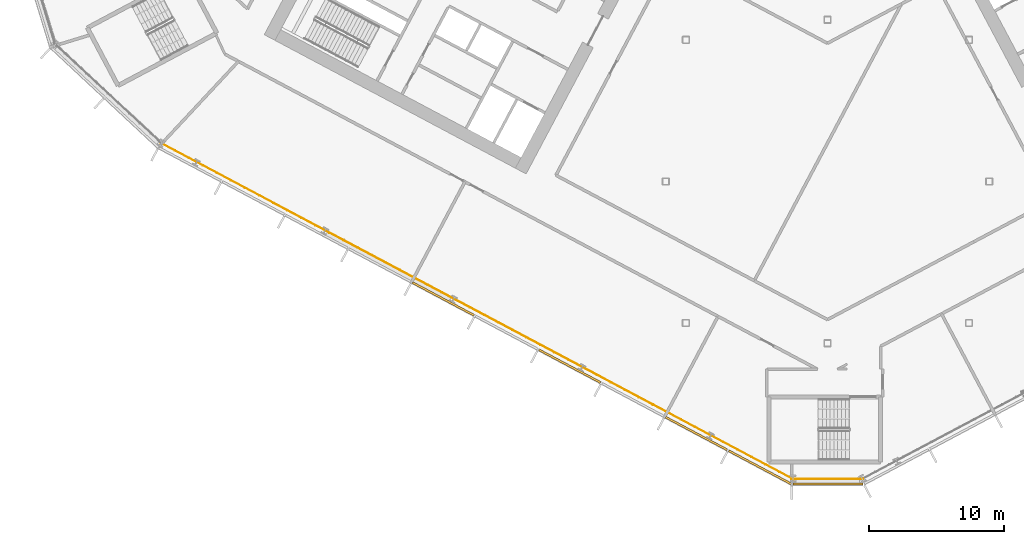
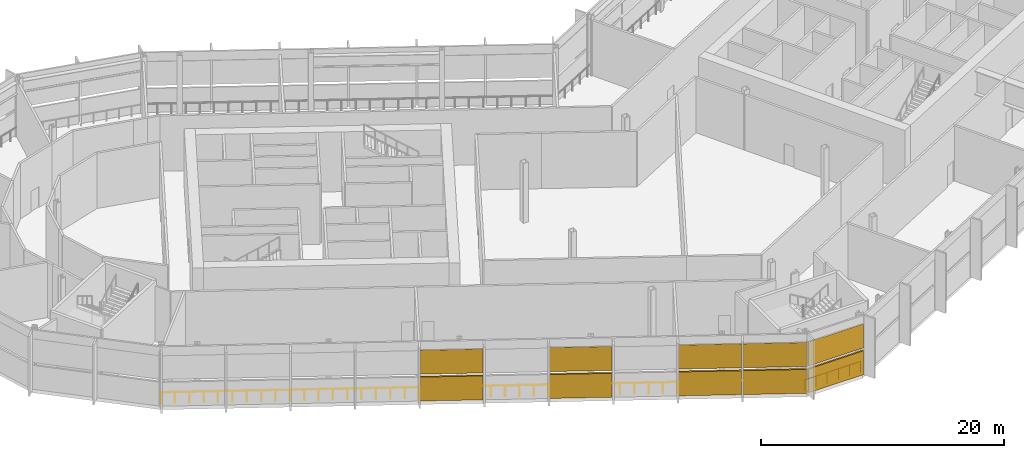
# One storey, part 20 of 33: 10 shading devices, 2 railings, 2 elements without a shape of their own.
"""IFC4 building model written with IfcOpenShell, lengths in metres."""

from ifc_helpers import new_model, si_unit, direction, frame, origin, origin_2d, place, context, subcontext, project, spatial, polyline, rectangle, outline, extrude, material, layer, layer_set, type_object, element, aggregate, save


model = new_model("IFC4")

# Units and contexts
model_context = context("Model", 3, precision=1e-05, world=origin(), true_north=direction((0.0, 1.0)))
body_context = subcontext(model_context, "Body", "Model", "MODEL_VIEW")
ifc_project = project(units=[si_unit("LENGTHUNIT", "METRE"), si_unit("AREAUNIT", "SQUARE_METRE"), si_unit("VOLUMEUNIT", "CUBIC_METRE"), si_unit("PLANEANGLEUNIT", "RADIAN"), si_unit("MASSUNIT", "GRAM", prefix="KILO")], contexts=[model_context])

# Site, building, storey
site_placement = place(None, origin())
site = spatial("IfcSite", under=ifc_project, at=site_placement, CompositionType="ELEMENT")
building_placement = place(site_placement, origin())
building = spatial("IfcBuilding", under=site, at=building_placement, Name="Cormorant Relay Tower", CompositionType="ELEMENT")
storey_placement = place(building_placement, frame((0.0, 0.0, 112.199951171875)))
storey = spatial("IfcBuildingStorey", under=building, at=storey_placement, Name="L22", CompositionType="ELEMENT", Elevation=112.199951171875)

# Railings
ifc_material_1 = material(Name="Stainless steel 316 guard", Category="steel")
railing_type = type_object("IfcRailingType", Name="Band louvre guard 1100", PredefinedType="GUARDRAIL", material=ifc_material_1)
railing_1_placement = place(storey_placement, frame((-2.648681640625, -22.07568359375, 0.0)))
element("IfcRailing", 1, at=railing_1_placement, inside=storey, type_object=railing_type, Name="CW4 guard 1", PredefinedType="GUARDRAIL", context=body_context, shape_type="SweptSolid", body=[
    extrude(outline(polyline([(0.022216796875, 0.00927734375), (0.00927734375, 0.022216796875), (-0.00927734375, 0.022216796875), (-0.022216796875, 0.00927734375), (-0.022216796875, -0.00927734375), (-0.00927734375, -0.022216796875), (0.00927734375, -0.022216796875), (0.022216796875, -0.00927734375), (0.022216796875, 0.00927734375)])), frame((0.0, 0.0, 1.076171875), z_axis=(1.0, 0.0, 0.0), x_axis=(0.0, 1.0, 0.0)), (0.0, 0.0, 1.0), 5.29736328125),
    extrude(outline(polyline([(0.019287109375, 0.008056640625), (0.008056640625, 0.019287109375), (-0.008056640625, 0.019287109375), (-0.019287109375, 0.008056640625), (-0.019287109375, -0.008056640625), (-0.008056640625, -0.019287109375), (0.008056640625, -0.019287109375), (0.019287109375, -0.008056640625), (0.019287109375, 0.008056640625)])), origin(), (0.0, 0.0, 1.0), 1.052001953125),
    extrude(outline(polyline([(0.019287109375, 0.008056640625), (0.008056640625, 0.019287109375), (-0.008056640625, 0.019287109375), (-0.019287109375, 0.008056640625), (-0.019287109375, -0.008056640625), (-0.008056640625, -0.019287109375), (0.008056640625, -0.019287109375), (0.019287109375, -0.008056640625), (0.019287109375, 0.008056640625)])), frame((1.0595703125, 0.0, 0.0)), (0.0, 0.0, 1.0), 1.052001953125),
    extrude(outline(polyline([(0.019287109375, 0.008056640625), (0.008056640625, 0.019287109375), (-0.008056640625, 0.019287109375), (-0.019287109375, 0.008056640625), (-0.019287109375, -0.008056640625), (-0.008056640625, -0.019287109375), (0.008056640625, -0.019287109375), (0.019287109375, -0.008056640625), (0.019287109375, 0.008056640625)])), frame((2.118896484375, 0.0, 0.0)), (0.0, 0.0, 1.0), 1.052001953125),
    extrude(outline(polyline([(0.019287109375, 0.008056640625), (0.008056640625, 0.019287109375), (-0.008056640625, 0.019287109375), (-0.019287109375, 0.008056640625), (-0.019287109375, -0.008056640625), (-0.008056640625, -0.019287109375), (0.008056640625, -0.019287109375), (0.019287109375, -0.008056640625), (0.019287109375, 0.008056640625)])), frame((3.178466796875, 0.0, 0.0)), (0.0, 0.0, 1.0), 1.052001953125),
    extrude(outline(polyline([(0.019287109375, 0.008056640625), (0.008056640625, 0.019287109375), (-0.008056640625, 0.019287109375), (-0.019287109375, 0.008056640625), (-0.019287109375, -0.008056640625), (-0.008056640625, -0.019287109375), (0.008056640625, -0.019287109375), (0.019287109375, -0.008056640625), (0.019287109375, 0.008056640625)])), frame((4.23779296875, 0.0, 0.0)), (0.0, 0.0, 1.0), 1.052001953125),
    extrude(outline(polyline([(0.019287109375, 0.008056640625), (0.008056640625, 0.019287109375), (-0.008056640625, 0.019287109375), (-0.019287109375, 0.008056640625), (-0.019287109375, -0.008056640625), (-0.008056640625, -0.019287109375), (0.008056640625, -0.019287109375), (0.019287109375, -0.008056640625), (0.019287109375, 0.008056640625)])), frame((5.29736328125, 0.0, 0.0)), (0.0, 0.0, 1.0), 1.052001953125),
])
railing_2_placement = place(storey_placement, frame((-49.45068359375, 2.84912109375, 0.0)))
element("IfcRailing", 2, at=railing_2_placement, inside=storey, type_object=railing_type, Name="CW4 guard 14", PredefinedType="GUARDRAIL", context=body_context, shape_type="SweptSolid", body=[
    extrude(outline(polyline([(0.022216796875, 0.00927734375), (0.00927734375, 0.022216796875), (-0.00927734375, 0.022216796875), (-0.022216796875, 0.00927734375), (-0.022216796875, -0.00927734375), (-0.00927734375, -0.022216796875), (0.00927734375, -0.022216796875), (0.022216796875, -0.00927734375), (0.022216796875, 0.00927734375)])), frame((0.0, 0.0, 1.076171875), z_axis=(0.88294853393, -0.469469792884, 0.0), x_axis=(0.469469792884, 0.88294853393, 0.0)), (0.0, 0.0, 1.0), 53.165771484375),
    extrude(outline(polyline([(0.019287109375, 0.008056640625), (0.008056640625, 0.019287109375), (-0.008056640625, 0.019287109375), (-0.019287109375, 0.008056640625), (-0.019287109375, -0.008056640625), (-0.008056640625, -0.019287109375), (0.008056640625, -0.019287109375), (0.019287109375, -0.008056640625), (0.019287109375, 0.008056640625)])), origin(), (0.0, 0.0, 1.0), 1.052001953125),
    extrude(outline(polyline([(0.019287109375, 0.008056640625), (0.008056640625, 0.019287109375), (-0.008056640625, 0.019287109375), (-0.019287109375, 0.008056640625), (-0.019287109375, -0.008056640625), (-0.008056640625, -0.019287109375), (0.008056640625, -0.019287109375), (0.019287109375, -0.008056640625), (0.019287109375, 0.008056640625)])), frame((1.043212890625, -0.5546875, 0.0)), (0.0, 0.0, 1.0), 1.052001953125),
    extrude(outline(polyline([(0.019287109375, 0.008056640625), (0.008056640625, 0.019287109375), (-0.008056640625, 0.019287109375), (-0.019287109375, 0.008056640625), (-0.019287109375, -0.008056640625), (-0.008056640625, -0.019287109375), (0.008056640625, -0.019287109375), (0.019287109375, -0.008056640625), (0.019287109375, 0.008056640625)])), frame((2.08642578125, -1.109375, 0.0)), (0.0, 0.0, 1.0), 1.052001953125),
    extrude(outline(polyline([(0.019287109375, 0.008056640625), (0.008056640625, 0.019287109375), (-0.008056640625, 0.019287109375), (-0.019287109375, 0.008056640625), (-0.019287109375, -0.008056640625), (-0.008056640625, -0.019287109375), (0.008056640625, -0.019287109375), (0.019287109375, -0.008056640625), (0.019287109375, 0.008056640625)])), frame((3.12939453125, -1.6640625, 0.0)), (0.0, 0.0, 1.0), 1.052001953125),
    extrude(outline(polyline([(0.019287109375, 0.008056640625), (0.008056640625, 0.019287109375), (-0.008056640625, 0.019287109375), (-0.019287109375, 0.008056640625), (-0.019287109375, -0.008056640625), (-0.008056640625, -0.019287109375), (0.008056640625, -0.019287109375), (0.019287109375, -0.008056640625), (0.019287109375, 0.008056640625)])), frame((4.172607421875, -2.21875, 0.0)), (0.0, 0.0, 1.0), 1.052001953125),
    extrude(outline(polyline([(0.019287109375, 0.008056640625), (0.008056640625, 0.019287109375), (-0.008056640625, 0.019287109375), (-0.019287109375, 0.008056640625), (-0.019287109375, -0.008056640625), (-0.008056640625, -0.019287109375), (0.008056640625, -0.019287109375), (0.019287109375, -0.008056640625), (0.019287109375, 0.008056640625)])), frame((5.2158203125, -2.773193359375, 0.0)), (0.0, 0.0, 1.0), 1.052001953125),
    extrude(outline(polyline([(0.019287109375, 0.008056640625), (0.008056640625, 0.019287109375), (-0.008056640625, 0.019287109375), (-0.019287109375, 0.008056640625), (-0.019287109375, -0.008056640625), (-0.008056640625, -0.019287109375), (0.008056640625, -0.019287109375), (0.019287109375, -0.008056640625), (0.019287109375, 0.008056640625)])), frame((6.259033203125, -3.327880859375, 0.0)), (0.0, 0.0, 1.0), 1.052001953125),
    extrude(outline(polyline([(0.019287109375, 0.008056640625), (0.008056640625, 0.019287109375), (-0.008056640625, 0.019287109375), (-0.019287109375, 0.008056640625), (-0.019287109375, -0.008056640625), (-0.008056640625, -0.019287109375), (0.008056640625, -0.019287109375), (0.019287109375, -0.008056640625), (0.019287109375, 0.008056640625)])), frame((7.30224609375, -3.882568359375, 0.0)), (0.0, 0.0, 1.0), 1.052001953125),
    extrude(outline(polyline([(0.019287109375, 0.008056640625), (0.008056640625, 0.019287109375), (-0.008056640625, 0.019287109375), (-0.019287109375, 0.008056640625), (-0.019287109375, -0.008056640625), (-0.008056640625, -0.019287109375), (0.008056640625, -0.019287109375), (0.019287109375, -0.008056640625), (0.019287109375, 0.008056640625)])), frame((8.345458984375, -4.437255859375, 0.0)), (0.0, 0.0, 1.0), 1.052001953125),
    extrude(outline(polyline([(0.019287109375, 0.008056640625), (0.008056640625, 0.019287109375), (-0.008056640625, 0.019287109375), (-0.019287109375, 0.008056640625), (-0.019287109375, -0.008056640625), (-0.008056640625, -0.019287109375), (0.008056640625, -0.019287109375), (0.019287109375, -0.008056640625), (0.019287109375, 0.008056640625)])), frame((9.388427734375, -4.991943359375, 0.0)), (0.0, 0.0, 1.0), 1.052001953125),
    extrude(outline(polyline([(0.019287109375, 0.008056640625), (0.008056640625, 0.019287109375), (-0.008056640625, 0.019287109375), (-0.019287109375, 0.008056640625), (-0.019287109375, -0.008056640625), (-0.008056640625, -0.019287109375), (0.008056640625, -0.019287109375), (0.019287109375, -0.008056640625), (0.019287109375, 0.008056640625)])), frame((10.431640625, -5.546630859375, 0.0)), (0.0, 0.0, 1.0), 1.052001953125),
    extrude(outline(polyline([(0.019287109375, 0.008056640625), (0.008056640625, 0.019287109375), (-0.008056640625, 0.019287109375), (-0.019287109375, 0.008056640625), (-0.019287109375, -0.008056640625), (-0.008056640625, -0.019287109375), (0.008056640625, -0.019287109375), (0.019287109375, -0.008056640625), (0.019287109375, 0.008056640625)])), frame((11.474853515625, -6.101318359375, 0.0)), (0.0, 0.0, 1.0), 1.052001953125),
    extrude(outline(polyline([(0.019287109375, 0.008056640625), (0.008056640625, 0.019287109375), (-0.008056640625, 0.019287109375), (-0.019287109375, 0.008056640625), (-0.019287109375, -0.008056640625), (-0.008056640625, -0.019287109375), (0.008056640625, -0.019287109375), (0.019287109375, -0.008056640625), (0.019287109375, 0.008056640625)])), frame((12.51806640625, -6.656005859375, 0.0)), (0.0, 0.0, 1.0), 1.052001953125),
    extrude(outline(polyline([(0.019287109375, 0.008056640625), (0.008056640625, 0.019287109375), (-0.008056640625, 0.019287109375), (-0.019287109375, 0.008056640625), (-0.019287109375, -0.008056640625), (-0.008056640625, -0.019287109375), (0.008056640625, -0.019287109375), (0.019287109375, -0.008056640625), (0.019287109375, 0.008056640625)])), frame((13.561279296875, -7.210693359375, 0.0)), (0.0, 0.0, 1.0), 1.052001953125),
    extrude(outline(polyline([(0.019287109375, 0.008056640625), (0.008056640625, 0.019287109375), (-0.008056640625, 0.019287109375), (-0.019287109375, 0.008056640625), (-0.019287109375, -0.008056640625), (-0.008056640625, -0.019287109375), (0.008056640625, -0.019287109375), (0.019287109375, -0.008056640625), (0.019287109375, 0.008056640625)])), frame((14.6044921875, -7.76513671875, 0.0)), (0.0, 0.0, 1.0), 1.052001953125),
    extrude(outline(polyline([(0.019287109375, 0.008056640625), (0.008056640625, 0.019287109375), (-0.008056640625, 0.019287109375), (-0.019287109375, 0.008056640625), (-0.019287109375, -0.008056640625), (-0.008056640625, -0.019287109375), (0.008056640625, -0.019287109375), (0.019287109375, -0.008056640625), (0.019287109375, 0.008056640625)])), frame((15.6474609375, -8.31982421875, 0.0)), (0.0, 0.0, 1.0), 1.052001953125),
    extrude(outline(polyline([(0.019287109375, 0.008056640625), (0.008056640625, 0.019287109375), (-0.008056640625, 0.019287109375), (-0.019287109375, 0.008056640625), (-0.019287109375, -0.008056640625), (-0.008056640625, -0.019287109375), (0.008056640625, -0.019287109375), (0.019287109375, -0.008056640625), (0.019287109375, 0.008056640625)])), frame((16.690673828125, -8.87451171875, 0.0)), (0.0, 0.0, 1.0), 1.052001953125),
    extrude(outline(polyline([(0.019287109375, 0.008056640625), (0.008056640625, 0.019287109375), (-0.008056640625, 0.019287109375), (-0.019287109375, 0.008056640625), (-0.019287109375, -0.008056640625), (-0.008056640625, -0.019287109375), (0.008056640625, -0.019287109375), (0.019287109375, -0.008056640625), (0.019287109375, 0.008056640625)])), frame((17.73388671875, -9.42919921875, 0.0)), (0.0, 0.0, 1.0), 1.052001953125),
    extrude(outline(polyline([(0.019287109375, 0.008056640625), (0.008056640625, 0.019287109375), (-0.008056640625, 0.019287109375), (-0.019287109375, 0.008056640625), (-0.019287109375, -0.008056640625), (-0.008056640625, -0.019287109375), (0.008056640625, -0.019287109375), (0.019287109375, -0.008056640625), (0.019287109375, 0.008056640625)])), frame((18.777099609375, -9.98388671875, 0.0)), (0.0, 0.0, 1.0), 1.052001953125),
    extrude(outline(polyline([(0.019287109375, 0.008056640625), (0.008056640625, 0.019287109375), (-0.008056640625, 0.019287109375), (-0.019287109375, 0.008056640625), (-0.019287109375, -0.008056640625), (-0.008056640625, -0.019287109375), (0.008056640625, -0.019287109375), (0.019287109375, -0.008056640625), (0.019287109375, 0.008056640625)])), frame((19.8203125, -10.53857421875, 0.0)), (0.0, 0.0, 1.0), 1.052001953125),
    extrude(outline(polyline([(0.019287109375, 0.008056640625), (0.008056640625, 0.019287109375), (-0.008056640625, 0.019287109375), (-0.019287109375, 0.008056640625), (-0.019287109375, -0.008056640625), (-0.008056640625, -0.019287109375), (0.008056640625, -0.019287109375), (0.019287109375, -0.008056640625), (0.019287109375, 0.008056640625)])), frame((20.86328125, -11.09326171875, 0.0)), (0.0, 0.0, 1.0), 1.052001953125),
    extrude(outline(polyline([(0.019287109375, 0.008056640625), (0.008056640625, 0.019287109375), (-0.008056640625, 0.019287109375), (-0.019287109375, 0.008056640625), (-0.019287109375, -0.008056640625), (-0.008056640625, -0.019287109375), (0.008056640625, -0.019287109375), (0.019287109375, -0.008056640625), (0.019287109375, 0.008056640625)])), frame((21.906494140625, -11.64794921875, 0.0)), (0.0, 0.0, 1.0), 1.052001953125),
    extrude(outline(polyline([(0.019287109375, 0.008056640625), (0.008056640625, 0.019287109375), (-0.008056640625, 0.019287109375), (-0.019287109375, 0.008056640625), (-0.019287109375, -0.008056640625), (-0.008056640625, -0.019287109375), (0.008056640625, -0.019287109375), (0.019287109375, -0.008056640625), (0.019287109375, 0.008056640625)])), frame((22.94970703125, -12.20263671875, 0.0)), (0.0, 0.0, 1.0), 1.052001953125),
    extrude(outline(polyline([(0.019287109375, 0.008056640625), (0.008056640625, 0.019287109375), (-0.008056640625, 0.019287109375), (-0.019287109375, 0.008056640625), (-0.019287109375, -0.008056640625), (-0.008056640625, -0.019287109375), (0.008056640625, -0.019287109375), (0.019287109375, -0.008056640625), (0.019287109375, 0.008056640625)])), frame((23.992919921875, -12.757080078125, 0.0)), (0.0, 0.0, 1.0), 1.052001953125),
    extrude(outline(polyline([(0.019287109375, 0.008056640625), (0.008056640625, 0.019287109375), (-0.008056640625, 0.019287109375), (-0.019287109375, 0.008056640625), (-0.019287109375, -0.008056640625), (-0.008056640625, -0.019287109375), (0.008056640625, -0.019287109375), (0.019287109375, -0.008056640625), (0.019287109375, 0.008056640625)])), frame((25.0361328125, -13.311767578125, 0.0)), (0.0, 0.0, 1.0), 1.052001953125),
    extrude(outline(polyline([(0.019287109375, 0.008056640625), (0.008056640625, 0.019287109375), (-0.008056640625, 0.019287109375), (-0.019287109375, 0.008056640625), (-0.019287109375, -0.008056640625), (-0.008056640625, -0.019287109375), (0.008056640625, -0.019287109375), (0.019287109375, -0.008056640625), (0.019287109375, 0.008056640625)])), frame((26.079345703125, -13.866455078125, 0.0)), (0.0, 0.0, 1.0), 1.052001953125),
    extrude(outline(polyline([(0.019287109375, 0.008056640625), (0.008056640625, 0.019287109375), (-0.008056640625, 0.019287109375), (-0.019287109375, 0.008056640625), (-0.019287109375, -0.008056640625), (-0.008056640625, -0.019287109375), (0.008056640625, -0.019287109375), (0.019287109375, -0.008056640625), (0.019287109375, 0.008056640625)])), frame((27.122314453125, -14.421142578125, 0.0)), (0.0, 0.0, 1.0), 1.052001953125),
    extrude(outline(polyline([(0.019287109375, 0.008056640625), (0.008056640625, 0.019287109375), (-0.008056640625, 0.019287109375), (-0.019287109375, 0.008056640625), (-0.019287109375, -0.008056640625), (-0.008056640625, -0.019287109375), (0.008056640625, -0.019287109375), (0.019287109375, -0.008056640625), (0.019287109375, 0.008056640625)])), frame((28.16552734375, -14.975830078125, 0.0)), (0.0, 0.0, 1.0), 1.052001953125),
    extrude(outline(polyline([(0.019287109375, 0.008056640625), (0.008056640625, 0.019287109375), (-0.008056640625, 0.019287109375), (-0.019287109375, 0.008056640625), (-0.019287109375, -0.008056640625), (-0.008056640625, -0.019287109375), (0.008056640625, -0.019287109375), (0.019287109375, -0.008056640625), (0.019287109375, 0.008056640625)])), frame((29.208740234375, -15.530517578125, 0.0)), (0.0, 0.0, 1.0), 1.052001953125),
    extrude(outline(polyline([(0.019287109375, 0.008056640625), (0.008056640625, 0.019287109375), (-0.008056640625, 0.019287109375), (-0.019287109375, 0.008056640625), (-0.019287109375, -0.008056640625), (-0.008056640625, -0.019287109375), (0.008056640625, -0.019287109375), (0.019287109375, -0.008056640625), (0.019287109375, 0.008056640625)])), frame((30.251953125, -16.085205078125, 0.0)), (0.0, 0.0, 1.0), 1.052001953125),
    extrude(outline(polyline([(0.019287109375, 0.008056640625), (0.008056640625, 0.019287109375), (-0.008056640625, 0.019287109375), (-0.019287109375, 0.008056640625), (-0.019287109375, -0.008056640625), (-0.008056640625, -0.019287109375), (0.008056640625, -0.019287109375), (0.019287109375, -0.008056640625), (0.019287109375, 0.008056640625)])), frame((31.295166015625, -16.639892578125, 0.0)), (0.0, 0.0, 1.0), 1.052001953125),
    extrude(outline(polyline([(0.019287109375, 0.008056640625), (0.008056640625, 0.019287109375), (-0.008056640625, 0.019287109375), (-0.019287109375, 0.008056640625), (-0.019287109375, -0.008056640625), (-0.008056640625, -0.019287109375), (0.008056640625, -0.019287109375), (0.019287109375, -0.008056640625), (0.019287109375, 0.008056640625)])), frame((32.338134765625, -17.194580078125, 0.0)), (0.0, 0.0, 1.0), 1.052001953125),
    extrude(outline(polyline([(0.019287109375, 0.008056640625), (0.008056640625, 0.019287109375), (-0.008056640625, 0.019287109375), (-0.019287109375, 0.008056640625), (-0.019287109375, -0.008056640625), (-0.008056640625, -0.019287109375), (0.008056640625, -0.019287109375), (0.019287109375, -0.008056640625), (0.019287109375, 0.008056640625)])), frame((33.38134765625, -17.7490234375, 0.0)), (0.0, 0.0, 1.0), 1.052001953125),
    extrude(outline(polyline([(0.019287109375, 0.008056640625), (0.008056640625, 0.019287109375), (-0.008056640625, 0.019287109375), (-0.019287109375, 0.008056640625), (-0.019287109375, -0.008056640625), (-0.008056640625, -0.019287109375), (0.008056640625, -0.019287109375), (0.019287109375, -0.008056640625), (0.019287109375, 0.008056640625)])), frame((34.424560546875, -18.3037109375, 0.0)), (0.0, 0.0, 1.0), 1.052001953125),
    extrude(outline(polyline([(0.019287109375, 0.008056640625), (0.008056640625, 0.019287109375), (-0.008056640625, 0.019287109375), (-0.019287109375, 0.008056640625), (-0.019287109375, -0.008056640625), (-0.008056640625, -0.019287109375), (0.008056640625, -0.019287109375), (0.019287109375, -0.008056640625), (0.019287109375, 0.008056640625)])), frame((35.4677734375, -18.8583984375, 0.0)), (0.0, 0.0, 1.0), 1.052001953125),
    extrude(outline(polyline([(0.019287109375, 0.008056640625), (0.008056640625, 0.019287109375), (-0.008056640625, 0.019287109375), (-0.019287109375, 0.008056640625), (-0.019287109375, -0.008056640625), (-0.008056640625, -0.019287109375), (0.008056640625, -0.019287109375), (0.019287109375, -0.008056640625), (0.019287109375, 0.008056640625)])), frame((36.510986328125, -19.4130859375, 0.0)), (0.0, 0.0, 1.0), 1.052001953125),
    extrude(outline(polyline([(0.019287109375, 0.008056640625), (0.008056640625, 0.019287109375), (-0.008056640625, 0.019287109375), (-0.019287109375, 0.008056640625), (-0.019287109375, -0.008056640625), (-0.008056640625, -0.019287109375), (0.008056640625, -0.019287109375), (0.019287109375, -0.008056640625), (0.019287109375, 0.008056640625)])), frame((37.55419921875, -19.9677734375, 0.0)), (0.0, 0.0, 1.0), 1.052001953125),
    extrude(outline(polyline([(0.019287109375, 0.008056640625), (0.008056640625, 0.019287109375), (-0.008056640625, 0.019287109375), (-0.019287109375, 0.008056640625), (-0.019287109375, -0.008056640625), (-0.008056640625, -0.019287109375), (0.008056640625, -0.019287109375), (0.019287109375, -0.008056640625), (0.019287109375, 0.008056640625)])), frame((38.59716796875, -20.5224609375, 0.0)), (0.0, 0.0, 1.0), 1.052001953125),
    extrude(outline(polyline([(0.019287109375, 0.008056640625), (0.008056640625, 0.019287109375), (-0.008056640625, 0.019287109375), (-0.019287109375, 0.008056640625), (-0.019287109375, -0.008056640625), (-0.008056640625, -0.019287109375), (0.008056640625, -0.019287109375), (0.019287109375, -0.008056640625), (0.019287109375, 0.008056640625)])), frame((39.640380859375, -21.0771484375, 0.0)), (0.0, 0.0, 1.0), 1.052001953125),
    extrude(outline(polyline([(0.019287109375, 0.008056640625), (0.008056640625, 0.019287109375), (-0.008056640625, 0.019287109375), (-0.019287109375, 0.008056640625), (-0.019287109375, -0.008056640625), (-0.008056640625, -0.019287109375), (0.008056640625, -0.019287109375), (0.019287109375, -0.008056640625), (0.019287109375, 0.008056640625)])), frame((40.68359375, -21.6318359375, 0.0)), (0.0, 0.0, 1.0), 1.052001953125),
    extrude(outline(polyline([(0.019287109375, 0.008056640625), (0.008056640625, 0.019287109375), (-0.008056640625, 0.019287109375), (-0.019287109375, 0.008056640625), (-0.019287109375, -0.008056640625), (-0.008056640625, -0.019287109375), (0.008056640625, -0.019287109375), (0.019287109375, -0.008056640625), (0.019287109375, 0.008056640625)])), frame((41.726806640625, -22.1865234375, 0.0)), (0.0, 0.0, 1.0), 1.052001953125),
    extrude(outline(polyline([(0.019287109375, 0.008056640625), (0.008056640625, 0.019287109375), (-0.008056640625, 0.019287109375), (-0.019287109375, 0.008056640625), (-0.019287109375, -0.008056640625), (-0.008056640625, -0.019287109375), (0.008056640625, -0.019287109375), (0.019287109375, -0.008056640625), (0.019287109375, 0.008056640625)])), frame((42.77001953125, -22.740966796875, 0.0)), (0.0, 0.0, 1.0), 1.052001953125),
    extrude(outline(polyline([(0.019287109375, 0.008056640625), (0.008056640625, 0.019287109375), (-0.008056640625, 0.019287109375), (-0.019287109375, 0.008056640625), (-0.019287109375, -0.008056640625), (-0.008056640625, -0.019287109375), (0.008056640625, -0.019287109375), (0.019287109375, -0.008056640625), (0.019287109375, 0.008056640625)])), frame((43.813232421875, -23.295654296875, 0.0)), (0.0, 0.0, 1.0), 1.052001953125),
    extrude(outline(polyline([(0.019287109375, 0.008056640625), (0.008056640625, 0.019287109375), (-0.008056640625, 0.019287109375), (-0.019287109375, 0.008056640625), (-0.019287109375, -0.008056640625), (-0.008056640625, -0.019287109375), (0.008056640625, -0.019287109375), (0.019287109375, -0.008056640625), (0.019287109375, 0.008056640625)])), frame((44.856201171875, -23.850341796875, 0.0)), (0.0, 0.0, 1.0), 1.052001953125),
    extrude(outline(polyline([(0.019287109375, 0.008056640625), (0.008056640625, 0.019287109375), (-0.008056640625, 0.019287109375), (-0.019287109375, 0.008056640625), (-0.019287109375, -0.008056640625), (-0.008056640625, -0.019287109375), (0.008056640625, -0.019287109375), (0.019287109375, -0.008056640625), (0.019287109375, 0.008056640625)])), frame((45.8994140625, -24.405029296875, 0.0)), (0.0, 0.0, 1.0), 1.052001953125),
    extrude(outline(polyline([(0.019287109375, 0.008056640625), (0.008056640625, 0.019287109375), (-0.008056640625, 0.019287109375), (-0.019287109375, 0.008056640625), (-0.019287109375, -0.008056640625), (-0.008056640625, -0.019287109375), (0.008056640625, -0.019287109375), (0.019287109375, -0.008056640625), (0.019287109375, 0.008056640625)])), frame((46.942626953125, -24.959716796875, 0.0)), (0.0, 0.0, 1.0), 1.052001953125),
])

# Curtain wall, shading devices
ifc_material_2 = material(Name="Aluminium 6063-T6 anodised bronze", Category="aluminium")
ifc_layer = layer(ifc_material_2, 0.199951171875)
ifc_layer_set = layer_set([ifc_layer], Name="CW4 band louvre wall")
curtain_wall_type = type_object("IfcCurtainWallType", Name="CW4 band louvre wall", PredefinedType="NOTDEFINED", material=ifc_layer_set)
curtain_wall_1_placement = place(storey_placement, origin())
curtain_wall_1 = element("IfcCurtainWall", 3, at=curtain_wall_1_placement, inside=storey, type_object=curtain_wall_type, Name="CW4 curtain wall 1", PredefinedType="NOTDEFINED")
ifc_material_3 = material(Name="Aluminium 6063-T6 anodised bronze louvre", Category="aluminium")
shading_device_type = type_object("IfcShadingDeviceType", Name="CW4 bronze louvre bank 150 x 2400", PredefinedType="USERDEFINED", material=ifc_material_3)
shading_device_1_placement = place(storey_placement, frame((0.03759765625, -22.45068359375, 2.7001953125), z_axis=(0.0, 0.0, 1.0), x_axis=(1.0, 0.0, 0.0)))
shading_device_1 = element("IfcShadingDevice", 4, at=shading_device_1_placement, type_object=shading_device_type, Name="CW4 louvre bank U1.1", ObjectType="LOUVRE", PredefinedType="USERDEFINED", context=body_context, shape_type="SweptSolid", body=[
    extrude(rectangle(XDim=5.22265625, YDim=0.14990234375, at=origin_2d()), origin(), (0.0, 0.0, 1.0), 2.39990234375),
])
shading_device_2_placement = place(storey_placement, frame((0.03759765625, -22.45068359375, 0.0), z_axis=(0.0, 0.0, 1.0), x_axis=(1.0, 0.0, 0.0)))
shading_device_2 = element("IfcShadingDevice", 5, at=shading_device_2_placement, type_object=shading_device_type, Name="CW4 louvre bank D1.1", ObjectType="LOUVRE", PredefinedType="USERDEFINED", context=body_context, shape_type="SweptSolid", body=[
    extrude(rectangle(XDim=5.22265625, YDim=0.14990234375, at=origin_2d()), origin(), (0.0, 0.0, 1.0), 2.39990234375),
])
aggregate(curtain_wall_1, [shading_device_1, shading_device_2])

curtain_wall_2_placement = place(storey_placement, origin())
curtain_wall_2 = element("IfcCurtainWall", 6, at=curtain_wall_2_placement, inside=storey, type_object=curtain_wall_type, Name="CW4 curtain wall 14", PredefinedType="NOTDEFINED")
shading_device_3_placement = place(storey_placement, frame((-28.50244140625, -8.7138671875, 2.7001953125), z_axis=(0.0, 0.0, 1.0), x_axis=(0.882947592859, -0.469471562786, 0.0)))
shading_device_3 = element("IfcShadingDevice", 7, at=shading_device_3_placement, type_object=shading_device_type, Name="CW4 louvre bank U14.5", ObjectType="LOUVRE", PredefinedType="USERDEFINED", context=body_context, shape_type="SweptSolid", body=[
    extrude(rectangle(XDim=5.16650390625, YDim=0.14990234375, at=origin_2d()), origin(), (0.0, 0.0, 1.0), 2.39990234375),
])
shading_device_4_placement = place(storey_placement, frame((-28.50244140625, -8.7138671875, 0.0), z_axis=(0.0, 0.0, 1.0), x_axis=(0.882947592859, -0.469471562786, 0.0)))
shading_device_4 = element("IfcShadingDevice", 8, at=shading_device_4_placement, type_object=shading_device_type, Name="CW4 louvre bank D14.5", ObjectType="LOUVRE", PredefinedType="USERDEFINED", context=body_context, shape_type="SweptSolid", body=[
    extrude(rectangle(XDim=5.16650390625, YDim=0.14990234375, at=origin_2d()), origin(), (0.0, 0.0, 1.0), 2.39990234375),
])
shading_device_5_placement = place(storey_placement, frame((-19.114013671875, -13.705810546875, 2.7001953125), z_axis=(0.0, 0.0, 1.0), x_axis=(0.882947592859, -0.469471562786, 0.0)))
shading_device_5 = element("IfcShadingDevice", 9, at=shading_device_5_placement, type_object=shading_device_type, Name="CW4 louvre bank U14.7", ObjectType="LOUVRE", PredefinedType="USERDEFINED", context=body_context, shape_type="SweptSolid", body=[
    extrude(rectangle(XDim=5.16650390625, YDim=0.14990234375, at=origin_2d()), origin(), (0.0, 0.0, 1.0), 2.39990234375),
])
shading_device_6_placement = place(storey_placement, frame((-19.114013671875, -13.705810546875, 0.0), z_axis=(0.0, 0.0, 1.0), x_axis=(0.882947592859, -0.469471562786, 0.0)))
shading_device_6 = element("IfcShadingDevice", 10, at=shading_device_6_placement, type_object=shading_device_type, Name="CW4 louvre bank D14.7", ObjectType="LOUVRE", PredefinedType="USERDEFINED", context=body_context, shape_type="SweptSolid", body=[
    extrude(rectangle(XDim=5.16650390625, YDim=0.14990234375, at=origin_2d()), origin(), (0.0, 0.0, 1.0), 2.39990234375),
])
shading_device_7_placement = place(storey_placement, frame((-9.7255859375, -18.69775390625, 2.7001953125), z_axis=(0.0, 0.0, 1.0), x_axis=(0.882947592859, -0.469471562786, 0.0)))
shading_device_7 = element("IfcShadingDevice", 11, at=shading_device_7_placement, type_object=shading_device_type, Name="CW4 louvre bank U14.9", ObjectType="LOUVRE", PredefinedType="USERDEFINED", context=body_context, shape_type="SweptSolid", body=[
    extrude(rectangle(XDim=5.16650390625, YDim=0.14990234375, at=origin_2d()), origin(), (0.0, 0.0, 1.0), 2.39990234375),
])
shading_device_8_placement = place(storey_placement, frame((-9.7255859375, -18.69775390625, 0.0), z_axis=(0.0, 0.0, 1.0), x_axis=(0.882947592859, -0.469471562786, 0.0)))
shading_device_8 = element("IfcShadingDevice", 12, at=shading_device_8_placement, type_object=shading_device_type, Name="CW4 louvre bank D14.9", ObjectType="LOUVRE", PredefinedType="USERDEFINED", context=body_context, shape_type="SweptSolid", body=[
    extrude(rectangle(XDim=5.16650390625, YDim=0.14990234375, at=origin_2d()), origin(), (0.0, 0.0, 1.0), 2.39990234375),
])
shading_device_9_placement = place(storey_placement, frame((-4.998046875, -21.21142578125, 2.7001953125), z_axis=(0.0, 0.0, 1.0), x_axis=(0.882947592859, -0.469471562786, 0.0)))
shading_device_9 = element("IfcShadingDevice", 13, at=shading_device_9_placement, type_object=shading_device_type, Name="CW4 louvre bank U14.10", ObjectType="LOUVRE", PredefinedType="USERDEFINED", context=body_context, shape_type="SweptSolid", body=[
    extrude(rectangle(XDim=5.24169921875, YDim=0.14990234375, at=origin_2d()), origin(), (0.0, 0.0, 1.0), 2.39990234375),
])
shading_device_10_placement = place(storey_placement, frame((-4.998046875, -21.21142578125, 0.0), z_axis=(0.0, 0.0, 1.0), x_axis=(0.882947592859, -0.469471562786, 0.0)))
shading_device_10 = element("IfcShadingDevice", 14, at=shading_device_10_placement, type_object=shading_device_type, Name="CW4 louvre bank D14.10", ObjectType="LOUVRE", PredefinedType="USERDEFINED", context=body_context, shape_type="SweptSolid", body=[
    extrude(rectangle(XDim=5.24169921875, YDim=0.14990234375, at=origin_2d()), origin(), (0.0, 0.0, 1.0), 2.39990234375),
])
aggregate(curtain_wall_2, [shading_device_3, shading_device_4, shading_device_5, shading_device_6, shading_device_7, shading_device_8, shading_device_9, shading_device_10])

save(model, "model.ifc")
